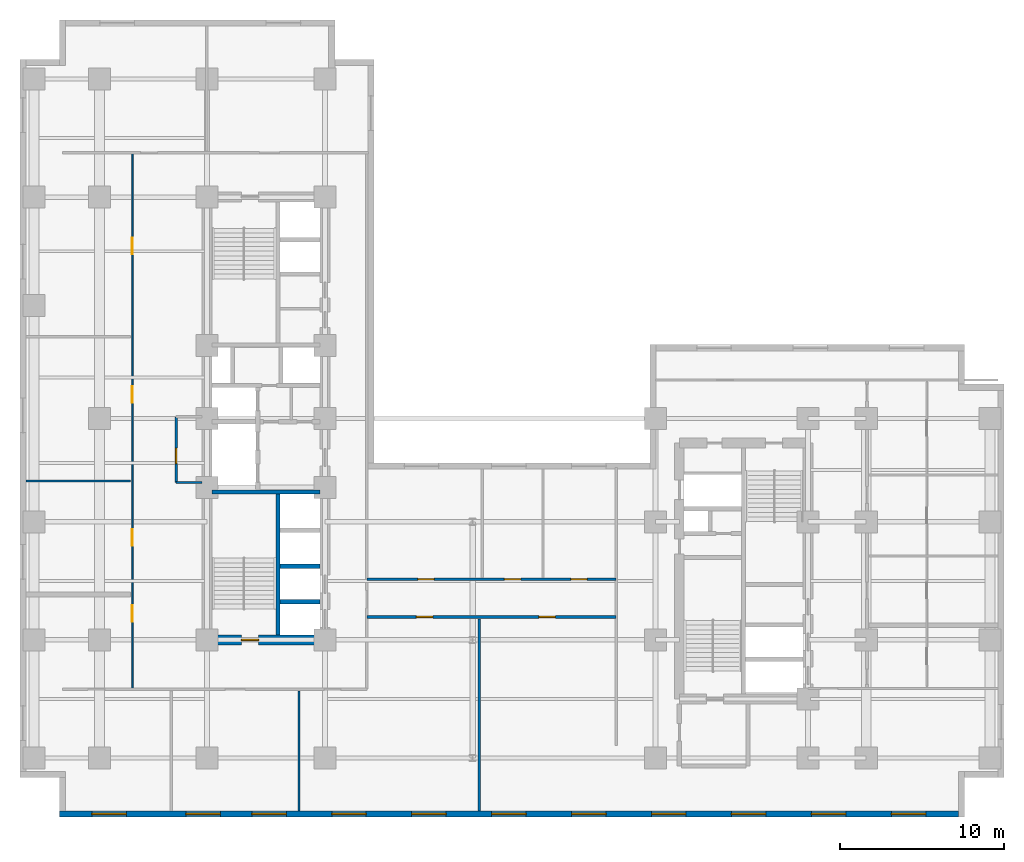
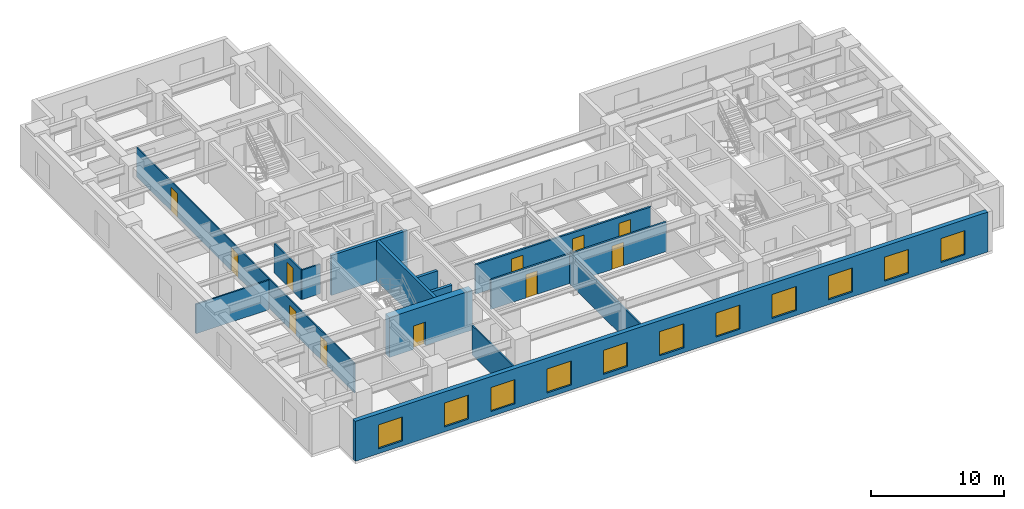
# One storey, part 3 of 10: 14 walls, 11 doors, 11 windows, 22 openings.
"""IFC4 building model written with IfcOpenShell, lengths in metres."""

from ifc_helpers import new_model, entity, si_unit, converted_unit, direction, frame, origin_with_axes, origin_2d_with_axis, place, context, subcontext, project, spatial, polyline, rectangle, outline, extrude, material, layer, layer_set, type_object, element, fill, save


model = new_model("IFC4")

# Units and contexts
model_context = context("Model", 3, precision=1e-05, world=origin_with_axes(), true_north=direction((0.0, 1.0)))
body_context = subcontext(model_context, "Body", "Model", "MODEL_VIEW")
ifc_project = project(units=[si_unit("LENGTHUNIT", "METRE"), si_unit("AREAUNIT", "SQUARE_METRE"), si_unit("VOLUMEUNIT", "CUBIC_METRE"), converted_unit("PLANEANGLEUNIT", "DEGREE", entity("IfcPlaneAngleMeasure", 0.017453292519943295), si_unit("PLANEANGLEUNIT", "RADIAN"), dimensions=[0, 0, 0, 0, 0, 0, 0]), si_unit("MASSUNIT", "GRAM", prefix="KILO"), si_unit("THERMODYNAMICTEMPERATUREUNIT", "KELVIN")], contexts=[model_context])

# Site, building, storey
site_placement = place(None, origin_with_axes())
site = spatial("IfcSite", under=ifc_project, at=site_placement, CompositionType="ELEMENT")
building_placement = place(site_placement, origin_with_axes())
building = spatial("IfcBuilding", under=site, at=building_placement, Name="Varnlund Millrace Tower", CompositionType="ELEMENT")
storey_placement = place(building_placement, frame((0.0, 0.0, 44.4), z_axis=(0.0, 0.0, 1.0), x_axis=(1.0, 0.0, 0.0)))
storey = spatial("IfcBuildingStorey", under=building, at=storey_placement, Name="L10", CompositionType="ELEMENT", Elevation=44.4)

# Wall, opening, door
ifc_material_1 = material(Name="Concrete C80/95", Category="concrete")
ifc_layer_1 = layer(ifc_material_1, 0.6, Name="Concrete C80/95")
ifc_layer_set_1 = layer_set([ifc_layer_1], Name="Concrete C80/95")
wall_type_1 = type_object("IfcWallType", Name="Type-CoreWall-Shear-600-C80", PredefinedType="SHEAR", material=ifc_layer_set_1)
wall_1_placement = place(storey_placement, frame((11.4, 10.8, 0.0), z_axis=(0.0, 0.0, 1.0), x_axis=(1.0, 0.0, 0.0)))
wall_1 = element("IfcWall", 1, at=wall_1_placement, inside=storey, type_object=wall_type_1, Name="Type-CoreWall-Shear-600-C80", PredefinedType="SHEAR", context=body_context, shape_type="SweptSolid", body=[
    extrude(outline(polyline([(0.0, -0.3), (7.2, -0.3), (7.2, 0.3), (0.0, 0.3), (0.0, -0.3)])), origin_with_axes(), (0.0, 0.0, 1.0), 3.66),
])
opening_1_placement = place(wall_1_placement, frame((2.625, 0.0, 0.0), z_axis=(0.0, 0.0, 1.0), x_axis=(1.0, 0.0, 0.0)))
opening_1 = element("IfcOpeningElement", 2, at=opening_1_placement, cuts=wall_1, Name="Opening L10:DR-STA1", PredefinedType="OPENING", context=body_context, shape_type="SweptSolid", body=[
    extrude(rectangle(XDim=1.05, YDim=0.62, at=origin_2d_with_axis()), origin_with_axes(), (0.0, 0.0, 1.0), 2.15),
])
ifc_material_2 = material(Name="Fire-rated hollow steel door", Category="steel")
door_type_1 = type_object("IfcDoorType", Name="Type-FireDoor-Stair-1050X2150", OperationType="NOTDEFINED", PredefinedType="DOOR", material=ifc_material_2)
door_1_placement = place(wall_1_placement, frame((2.625, 0.0, 0.0), z_axis=(0.0, 0.0, 1.0), x_axis=(1.0, 0.0, 0.0)))
door_1 = element("IfcDoor", 3, at=door_1_placement, inside=storey, type_object=door_type_1, Name="Type-FireDoor-Stair-1050X2150", OperationType="SINGLE_SWING_LEFT", OverallHeight=2.15, OverallWidth=1.05, PredefinedType="DOOR", context=body_context, shape_type="SweptSolid", body=[
    extrude(rectangle(XDim=1.05, YDim=0.09, at=origin_2d_with_axis()), origin_with_axes(), (0.0, 0.0, 1.0), 2.15),
])
fill(opening_1, door_1)

# Wall, openings, windows
ifc_material_3 = material(Name="Precast concrete C50/60", Category="concrete")
ifc_layer_2 = layer(ifc_material_3, 0.38, Name="Precast concrete C50/60")
ifc_layer_set_2 = layer_set([ifc_layer_2], Name="Precast concrete C50/60")
wall_type_2 = type_object("IfcWallType", Name="Type-ExtWall-Precast-Tube-380", PredefinedType="SOLIDWALL", material=ifc_layer_set_2)
wall_2_placement = place(storey_placement, frame((57.22, 0.19, 0.0), z_axis=(0.0, 0.0, 1.0), x_axis=(-1.0, 0.0, 0.0)))
wall_2 = element("IfcWall", 4, at=wall_2_placement, inside=storey, type_object=wall_type_2, Name="Type-ExtWall-Precast-Tube-380", PredefinedType="SOLIDWALL", context=body_context, shape_type="SweptSolid", body=[
    extrude(outline(polyline([(0.0, -0.19), (54.82, -0.19), (54.82, 0.19), (0.0, 0.19), (0.0, -0.19)])), origin_with_axes(), (0.0, 0.0, 1.0), 3.66),
])
opening_2_placement = place(wall_2_placement, frame((3.037, 0.0, 0.45), z_axis=(0.0, 0.0, 1.0), x_axis=(1.0, 0.0, 0.0)))
opening_2 = element("IfcOpeningElement", 5, at=opening_2_placement, cuts=wall_2, Name="Opening L10:WN-05", PredefinedType="OPENING", context=body_context, shape_type="SweptSolid", body=[
    extrude(rectangle(XDim=2.1, YDim=0.4, at=origin_2d_with_axis()), origin_with_axes(), (0.0, 0.0, 1.0), 2.2),
])
opening_3_placement = place(wall_2_placement, frame((7.912, 0.0, 0.45), z_axis=(0.0, 0.0, 1.0), x_axis=(1.0, 0.0, 0.0)))
opening_3 = element("IfcOpeningElement", 6, at=opening_3_placement, cuts=wall_2, Name="Opening L10:WN-06", PredefinedType="OPENING", context=body_context, shape_type="SweptSolid", body=[
    extrude(rectangle(XDim=2.1, YDim=0.4, at=origin_2d_with_axis()), origin_with_axes(), (0.0, 0.0, 1.0), 2.2),
])
opening_4_placement = place(wall_2_placement, frame((12.786, 0.0, 0.45), z_axis=(0.0, 0.0, 1.0), x_axis=(1.0, 0.0, 0.0)))
opening_4 = element("IfcOpeningElement", 7, at=opening_4_placement, cuts=wall_2, Name="Opening L10:WN-07", PredefinedType="OPENING", context=body_context, shape_type="SweptSolid", body=[
    extrude(rectangle(XDim=2.1, YDim=0.4, at=origin_2d_with_axis()), origin_with_axes(), (0.0, 0.0, 1.0), 2.2),
])
opening_5_placement = place(wall_2_placement, frame((17.661, 0.0, 0.45), z_axis=(0.0, 0.0, 1.0), x_axis=(1.0, 0.0, 0.0)))
opening_5 = element("IfcOpeningElement", 8, at=opening_5_placement, cuts=wall_2, Name="Opening L10:WN-08", PredefinedType="OPENING", context=body_context, shape_type="SweptSolid", body=[
    extrude(rectangle(XDim=2.1, YDim=0.4, at=origin_2d_with_axis()), origin_with_axes(), (0.0, 0.0, 1.0), 2.2),
])
opening_6_placement = place(wall_2_placement, frame((22.535, 0.0, 0.45), z_axis=(0.0, 0.0, 1.0), x_axis=(1.0, 0.0, 0.0)))
opening_6 = element("IfcOpeningElement", 9, at=opening_6_placement, cuts=wall_2, Name="Opening L10:WN-09", PredefinedType="OPENING", context=body_context, shape_type="SweptSolid", body=[
    extrude(rectangle(XDim=2.1, YDim=0.4, at=origin_2d_with_axis()), origin_with_axes(), (0.0, 0.0, 1.0), 2.2),
])
opening_7_placement = place(wall_2_placement, frame((27.41, 0.0, 0.45), z_axis=(0.0, 0.0, 1.0), x_axis=(1.0, 0.0, 0.0)))
opening_7 = element("IfcOpeningElement", 10, at=opening_7_placement, cuts=wall_2, Name="Opening L10:WN-10", PredefinedType="OPENING", context=body_context, shape_type="SweptSolid", body=[
    extrude(rectangle(XDim=2.1, YDim=0.4, at=origin_2d_with_axis()), origin_with_axes(), (0.0, 0.0, 1.0), 2.2),
])
opening_8_placement = place(wall_2_placement, frame((32.285, 0.0, 0.45), z_axis=(0.0, 0.0, 1.0), x_axis=(1.0, 0.0, 0.0)))
opening_8 = element("IfcOpeningElement", 11, at=opening_8_placement, cuts=wall_2, Name="Opening L10:WN-11", PredefinedType="OPENING", context=body_context, shape_type="SweptSolid", body=[
    extrude(rectangle(XDim=2.1, YDim=0.4, at=origin_2d_with_axis()), origin_with_axes(), (0.0, 0.0, 1.0), 2.2),
])
opening_9_placement = place(wall_2_placement, frame((37.159, 0.0, 0.45), z_axis=(0.0, 0.0, 1.0), x_axis=(1.0, 0.0, 0.0)))
opening_9 = element("IfcOpeningElement", 12, at=opening_9_placement, cuts=wall_2, Name="Opening L10:WN-12", PredefinedType="OPENING", context=body_context, shape_type="SweptSolid", body=[
    extrude(rectangle(XDim=2.1, YDim=0.4, at=origin_2d_with_axis()), origin_with_axes(), (0.0, 0.0, 1.0), 2.2),
])
opening_10_placement = place(wall_2_placement, frame((42.034, 0.0, 0.45), z_axis=(0.0, 0.0, 1.0), x_axis=(1.0, 0.0, 0.0)))
opening_10 = element("IfcOpeningElement", 13, at=opening_10_placement, cuts=wall_2, Name="Opening L10:WN-13", PredefinedType="OPENING", context=body_context, shape_type="SweptSolid", body=[
    extrude(rectangle(XDim=2.1, YDim=0.4, at=origin_2d_with_axis()), origin_with_axes(), (0.0, 0.0, 1.0), 2.2),
])
opening_11_placement = place(wall_2_placement, frame((46.058, 0.0, 0.45), z_axis=(0.0, 0.0, 1.0), x_axis=(1.0, 0.0, 0.0)))
opening_11 = element("IfcOpeningElement", 14, at=opening_11_placement, cuts=wall_2, Name="Opening L10:WN-14", PredefinedType="OPENING", context=body_context, shape_type="SweptSolid", body=[
    extrude(rectangle(XDim=2.1, YDim=0.4, at=origin_2d_with_axis()), origin_with_axes(), (0.0, 0.0, 1.0), 2.2),
])
opening_12_placement = place(wall_2_placement, frame((51.783, 0.0, 0.45), z_axis=(0.0, 0.0, 1.0), x_axis=(1.0, 0.0, 0.0)))
opening_12 = element("IfcOpeningElement", 15, at=opening_12_placement, cuts=wall_2, Name="Opening L10:WN-15", PredefinedType="OPENING", context=body_context, shape_type="SweptSolid", body=[
    extrude(rectangle(XDim=2.1, YDim=0.4, at=origin_2d_with_axis()), origin_with_axes(), (0.0, 0.0, 1.0), 2.2),
])
ifc_material_4 = material(Name="Argon low-e triple glazing in thermally broken bronze frame", Category="glass")
window_type = type_object("IfcWindowType", Name="Type-Window-Punched-2100X2200", PartitioningType="SINGLE_PANEL", PredefinedType="WINDOW", material=ifc_material_4)
window_1_placement = place(wall_2_placement, frame((3.037, 0.0, 0.45), z_axis=(0.0, 0.0, 1.0), x_axis=(1.0, 0.0, 0.0)))
window_1 = element("IfcWindow", 16, at=window_1_placement, inside=storey, type_object=window_type, Name="Type-Window-Punched-2100X2200", OverallHeight=2.2, OverallWidth=2.1, PredefinedType="WINDOW", context=body_context, shape_type="SweptSolid", body=[
    extrude(rectangle(XDim=2.1, YDim=0.09, at=origin_2d_with_axis()), origin_with_axes(), (0.0, 0.0, 1.0), 2.2),
])
fill(opening_2, window_1)
window_2_placement = place(wall_2_placement, frame((7.912, 0.0, 0.45), z_axis=(0.0, 0.0, 1.0), x_axis=(1.0, 0.0, 0.0)))
window_2 = element("IfcWindow", 17, at=window_2_placement, inside=storey, type_object=window_type, Name="Type-Window-Punched-2100X2200", OverallHeight=2.2, OverallWidth=2.1, PredefinedType="WINDOW", context=body_context, shape_type="SweptSolid", body=[
    extrude(rectangle(XDim=2.1, YDim=0.09, at=origin_2d_with_axis()), origin_with_axes(), (0.0, 0.0, 1.0), 2.2),
])
fill(opening_3, window_2)
window_3_placement = place(wall_2_placement, frame((12.786, 0.0, 0.45), z_axis=(0.0, 0.0, 1.0), x_axis=(1.0, 0.0, 0.0)))
window_3 = element("IfcWindow", 18, at=window_3_placement, inside=storey, type_object=window_type, Name="Type-Window-Punched-2100X2200", OverallHeight=2.2, OverallWidth=2.1, PredefinedType="WINDOW", context=body_context, shape_type="SweptSolid", body=[
    extrude(rectangle(XDim=2.1, YDim=0.09, at=origin_2d_with_axis()), origin_with_axes(), (0.0, 0.0, 1.0), 2.2),
])
fill(opening_4, window_3)
window_4_placement = place(wall_2_placement, frame((17.661, 0.0, 0.45), z_axis=(0.0, 0.0, 1.0), x_axis=(1.0, 0.0, 0.0)))
window_4 = element("IfcWindow", 19, at=window_4_placement, inside=storey, type_object=window_type, Name="Type-Window-Punched-2100X2200", OverallHeight=2.2, OverallWidth=2.1, PredefinedType="WINDOW", context=body_context, shape_type="SweptSolid", body=[
    extrude(rectangle(XDim=2.1, YDim=0.09, at=origin_2d_with_axis()), origin_with_axes(), (0.0, 0.0, 1.0), 2.2),
])
fill(opening_5, window_4)
window_5_placement = place(wall_2_placement, frame((22.535, 0.0, 0.45), z_axis=(0.0, 0.0, 1.0), x_axis=(1.0, 0.0, 0.0)))
window_5 = element("IfcWindow", 20, at=window_5_placement, inside=storey, type_object=window_type, Name="Type-Window-Punched-2100X2200", OverallHeight=2.2, OverallWidth=2.1, PredefinedType="WINDOW", context=body_context, shape_type="SweptSolid", body=[
    extrude(rectangle(XDim=2.1, YDim=0.09, at=origin_2d_with_axis()), origin_with_axes(), (0.0, 0.0, 1.0), 2.2),
])
fill(opening_6, window_5)
window_6_placement = place(wall_2_placement, frame((27.41, 0.0, 0.45), z_axis=(0.0, 0.0, 1.0), x_axis=(1.0, 0.0, 0.0)))
window_6 = element("IfcWindow", 21, at=window_6_placement, inside=storey, type_object=window_type, Name="Type-Window-Punched-2100X2200", OverallHeight=2.2, OverallWidth=2.1, PredefinedType="WINDOW", context=body_context, shape_type="SweptSolid", body=[
    extrude(rectangle(XDim=2.1, YDim=0.09, at=origin_2d_with_axis()), origin_with_axes(), (0.0, 0.0, 1.0), 2.2),
])
fill(opening_7, window_6)
window_7_placement = place(wall_2_placement, frame((32.285, 0.0, 0.45), z_axis=(0.0, 0.0, 1.0), x_axis=(1.0, 0.0, 0.0)))
window_7 = element("IfcWindow", 22, at=window_7_placement, inside=storey, type_object=window_type, Name="Type-Window-Punched-2100X2200", OverallHeight=2.2, OverallWidth=2.1, PredefinedType="WINDOW", context=body_context, shape_type="SweptSolid", body=[
    extrude(rectangle(XDim=2.1, YDim=0.09, at=origin_2d_with_axis()), origin_with_axes(), (0.0, 0.0, 1.0), 2.2),
])
fill(opening_8, window_7)
window_8_placement = place(wall_2_placement, frame((37.159, 0.0, 0.45), z_axis=(0.0, 0.0, 1.0), x_axis=(1.0, 0.0, 0.0)))
window_8 = element("IfcWindow", 23, at=window_8_placement, inside=storey, type_object=window_type, Name="Type-Window-Punched-2100X2200", OverallHeight=2.2, OverallWidth=2.1, PredefinedType="WINDOW", context=body_context, shape_type="SweptSolid", body=[
    extrude(rectangle(XDim=2.1, YDim=0.09, at=origin_2d_with_axis()), origin_with_axes(), (0.0, 0.0, 1.0), 2.2),
])
fill(opening_9, window_8)
window_9_placement = place(wall_2_placement, frame((42.034, 0.0, 0.45), z_axis=(0.0, 0.0, 1.0), x_axis=(1.0, 0.0, 0.0)))
window_9 = element("IfcWindow", 24, at=window_9_placement, inside=storey, type_object=window_type, Name="Type-Window-Punched-2100X2200", OverallHeight=2.2, OverallWidth=2.1, PredefinedType="WINDOW", context=body_context, shape_type="SweptSolid", body=[
    extrude(rectangle(XDim=2.1, YDim=0.09, at=origin_2d_with_axis()), origin_with_axes(), (0.0, 0.0, 1.0), 2.2),
])
fill(opening_10, window_9)
window_10_placement = place(wall_2_placement, frame((46.058, 0.0, 0.45), z_axis=(0.0, 0.0, 1.0), x_axis=(1.0, 0.0, 0.0)))
window_10 = element("IfcWindow", 25, at=window_10_placement, inside=storey, type_object=window_type, Name="Type-Window-Punched-2100X2200", OverallHeight=2.2, OverallWidth=2.1, PredefinedType="WINDOW", context=body_context, shape_type="SweptSolid", body=[
    extrude(rectangle(XDim=2.1, YDim=0.09, at=origin_2d_with_axis()), origin_with_axes(), (0.0, 0.0, 1.0), 2.2),
])
fill(opening_11, window_10)
window_11_placement = place(wall_2_placement, frame((51.783, 0.0, 0.45), z_axis=(0.0, 0.0, 1.0), x_axis=(1.0, 0.0, 0.0)))
window_11 = element("IfcWindow", 26, at=window_11_placement, inside=storey, type_object=window_type, Name="Type-Window-Punched-2100X2200", OverallHeight=2.2, OverallWidth=2.1, PredefinedType="WINDOW", context=body_context, shape_type="SweptSolid", body=[
    extrude(rectangle(XDim=2.1, YDim=0.09, at=origin_2d_with_axis()), origin_with_axes(), (0.0, 0.0, 1.0), 2.2),
])
fill(opening_12, window_11)

# Wall, openings, doors
ifc_material_5 = material(Name="Fire-rated gypsum board on cold-formed steel framing", Category="steel")
ifc_layer_3 = layer(ifc_material_5, 0.16, Name="Fire-rated gypsum board on cold-formed steel framing")
ifc_layer_set_3 = layer_set([ifc_layer_3], Name="Fire-rated gypsum board on cold-formed steel framing")
wall_type_3 = type_object("IfcWallType", Name="Type-Partition-Corridor-160", PredefinedType="PARTITIONING", material=ifc_layer_set_3)
wall_3_placement = place(storey_placement, frame((21.15, 12.2, 0.0), z_axis=(0.0, 0.0, 1.0), x_axis=(1.0, 0.0, 0.0)))
wall_3 = element("IfcWall", 27, at=wall_3_placement, inside=storey, type_object=wall_type_3, Name="Type-Partition-Corridor-160", PredefinedType="PARTITIONING", context=body_context, shape_type="SweptSolid", body=[
    extrude(outline(polyline([(0.0, -0.08), (15.2, -0.08), (15.2, 0.08), (0.0, 0.08), (0.0, -0.08)])), origin_with_axes(), (0.0, 0.0, 1.0), 2.7),
])
opening_13_placement = place(wall_3_placement, frame((3.5225, 0.0, 0.0), z_axis=(0.0, 0.0, 1.0), x_axis=(1.0, 0.0, 0.0)))
opening_13 = element("IfcOpeningElement", 28, at=opening_13_placement, cuts=wall_3, Name="Opening L10:DR-KNS-01", PredefinedType="OPENING", context=body_context, shape_type="SweptSolid", body=[
    extrude(rectangle(XDim=1.0, YDim=0.18, at=origin_2d_with_axis()), origin_with_axes(), (0.0, 0.0, 1.0), 2.15),
])
opening_14_placement = place(wall_3_placement, frame((10.9925, 0.0, 0.0), z_axis=(0.0, 0.0, 1.0), x_axis=(1.0, 0.0, 0.0)))
opening_14 = element("IfcOpeningElement", 29, at=opening_14_placement, cuts=wall_3, Name="Opening L10:DR-KNS-02", PredefinedType="OPENING", context=body_context, shape_type="SweptSolid", body=[
    extrude(rectangle(XDim=1.0, YDim=0.18, at=origin_2d_with_axis()), origin_with_axes(), (0.0, 0.0, 1.0), 2.15),
])
ifc_material_6 = material(Name="Solid-core white oak and bronze frame door")
door_type_2 = type_object("IfcDoorType", Name="Type-IntDoor-Office-1000X2150", OperationType="NOTDEFINED", PredefinedType="DOOR", material=ifc_material_6)
door_2_placement = place(wall_3_placement, frame((3.5225, 0.0, 0.0), z_axis=(0.0, 0.0, 1.0), x_axis=(1.0, 0.0, 0.0)))
door_2 = element("IfcDoor", 30, at=door_2_placement, inside=storey, type_object=door_type_2, Name="Type-IntDoor-Office-1000X2150", OperationType="SINGLE_SWING_LEFT", OverallHeight=2.15, OverallWidth=1.0, PredefinedType="DOOR", context=body_context, shape_type="SweptSolid", body=[
    extrude(rectangle(XDim=1.0, YDim=0.09, at=origin_2d_with_axis()), origin_with_axes(), (0.0, 0.0, 1.0), 2.15),
])
fill(opening_13, door_2)
door_3_placement = place(wall_3_placement, frame((10.9925, 0.0, 0.0), z_axis=(0.0, 0.0, 1.0), x_axis=(1.0, 0.0, 0.0)))
door_3 = element("IfcDoor", 31, at=door_3_placement, inside=storey, type_object=door_type_2, Name="Type-IntDoor-Office-1000X2150", OperationType="SINGLE_SWING_RIGHT", OverallHeight=2.15, OverallWidth=1.0, PredefinedType="DOOR", context=body_context, shape_type="SweptSolid", body=[
    extrude(rectangle(XDim=1.0, YDim=0.09, at=origin_2d_with_axis()), origin_with_axes(), (0.0, 0.0, 1.0), 2.15),
])
fill(opening_14, door_3)

wall_4_placement = place(storey_placement, frame((21.15, 14.5, 0.0), z_axis=(0.0, 0.0, 1.0), x_axis=(1.0, 0.0, 0.0)))
wall_4 = element("IfcWall", 32, at=wall_4_placement, inside=storey, type_object=wall_type_3, Name="Type-Partition-Corridor-160", PredefinedType="PARTITIONING", context=body_context, shape_type="SweptSolid", body=[
    extrude(outline(polyline([(0.0, -0.08), (15.2, -0.08), (15.2, 0.08), (0.0, 0.08), (0.0, -0.08)])), origin_with_axes(), (0.0, 0.0, 1.0), 2.7),
])
opening_15_placement = place(wall_4_placement, frame((3.607, 0.0, 0.0), z_axis=(0.0, 0.0, 1.0), x_axis=(1.0, 0.0, 0.0)))
opening_15 = element("IfcOpeningElement", 33, at=opening_15_placement, cuts=wall_4, Name="Opening L10:DR-KN-01", PredefinedType="OPENING", context=body_context, shape_type="SweptSolid", body=[
    extrude(rectangle(XDim=1.0, YDim=0.18, at=origin_2d_with_axis()), origin_with_axes(), (0.0, 0.0, 1.0), 2.15),
])
opening_16_placement = place(wall_4_placement, frame((8.89, 0.0, 0.0), z_axis=(0.0, 0.0, 1.0), x_axis=(1.0, 0.0, 0.0)))
opening_16 = element("IfcOpeningElement", 34, at=opening_16_placement, cuts=wall_4, Name="Opening L10:DR-KN-02", PredefinedType="OPENING", context=body_context, shape_type="SweptSolid", body=[
    extrude(rectangle(XDim=1.0, YDim=0.18, at=origin_2d_with_axis()), origin_with_axes(), (0.0, 0.0, 1.0), 2.15),
])
opening_17_placement = place(wall_4_placement, frame((12.933, 0.0, 0.0), z_axis=(0.0, 0.0, 1.0), x_axis=(1.0, 0.0, 0.0)))
opening_17 = element("IfcOpeningElement", 35, at=opening_17_placement, cuts=wall_4, Name="Opening L10:DR-KN-03", PredefinedType="OPENING", context=body_context, shape_type="SweptSolid", body=[
    extrude(rectangle(XDim=1.0, YDim=0.18, at=origin_2d_with_axis()), origin_with_axes(), (0.0, 0.0, 1.0), 2.15),
])
door_4_placement = place(wall_4_placement, frame((3.607, 0.0, 0.0), z_axis=(0.0, 0.0, 1.0), x_axis=(1.0, 0.0, 0.0)))
door_4 = element("IfcDoor", 36, at=door_4_placement, inside=storey, type_object=door_type_2, Name="Type-IntDoor-Office-1000X2150", OperationType="SINGLE_SWING_LEFT", OverallHeight=2.15, OverallWidth=1.0, PredefinedType="DOOR", context=body_context, shape_type="SweptSolid", body=[
    extrude(rectangle(XDim=1.0, YDim=0.09, at=origin_2d_with_axis()), origin_with_axes(), (0.0, 0.0, 1.0), 2.15),
])
fill(opening_15, door_4)
door_5_placement = place(wall_4_placement, frame((8.89, 0.0, 0.0), z_axis=(0.0, 0.0, 1.0), x_axis=(1.0, 0.0, 0.0)))
door_5 = element("IfcDoor", 37, at=door_5_placement, inside=storey, type_object=door_type_2, Name="Type-IntDoor-Office-1000X2150", OperationType="SINGLE_SWING_RIGHT", OverallHeight=2.15, OverallWidth=1.0, PredefinedType="DOOR", context=body_context, shape_type="SweptSolid", body=[
    extrude(rectangle(XDim=1.0, YDim=0.09, at=origin_2d_with_axis()), origin_with_axes(), (0.0, 0.0, 1.0), 2.15),
])
fill(opening_16, door_5)
door_6_placement = place(wall_4_placement, frame((12.933, 0.0, 0.0), z_axis=(0.0, 0.0, 1.0), x_axis=(1.0, 0.0, 0.0)))
door_6 = element("IfcDoor", 38, at=door_6_placement, inside=storey, type_object=door_type_2, Name="Type-IntDoor-Office-1000X2150", OperationType="SINGLE_SWING_LEFT", OverallHeight=2.15, OverallWidth=1.0, PredefinedType="DOOR", context=body_context, shape_type="SweptSolid", body=[
    extrude(rectangle(XDim=1.0, YDim=0.09, at=origin_2d_with_axis()), origin_with_axes(), (0.0, 0.0, 1.0), 2.15),
])
fill(opening_17, door_6)

# Wall
ifc_material_7 = material(Name="Acoustic STC-50 gypsum board partition", Category="gypsum")
ifc_layer_4 = layer(ifc_material_7, 0.15, Name="Acoustic STC-50 gypsum board partition")
ifc_layer_set_4 = layer_set([ifc_layer_4], Name="Acoustic STC-50 gypsum board partition")
wall_type_4 = type_object("IfcWallType", Name="Type-Partition-Demising-150", PredefinedType="PARTITIONING", material=ifc_layer_set_4)
wall_5_placement = place(storey_placement, frame((28.015, 0.36, 0.0), z_axis=(0.0, 0.0, 1.0), x_axis=(0.0, 1.0, 0.0)))
element("IfcWall", 39, at=wall_5_placement, inside=storey, type_object=wall_type_4, Name="Type-Partition-Demising-150", PredefinedType="PARTITIONING", context=body_context, shape_type="SweptSolid", body=[
    extrude(outline(polyline([(0.0, -0.075), (11.72, -0.075), (11.72, 0.075), (0.0, 0.075), (0.0, -0.075)])), origin_with_axes(), (0.0, 0.0, 1.0), 2.7),
])

# Wall, openings, doors
ifc_material_8 = material(Name="Architectural bronze and acoustic glass office front", Category="glass")
ifc_layer_5 = layer(ifc_material_8, 0.1, Name="Architectural bronze and acoustic glass office front")
ifc_layer_set_5 = layer_set([ifc_layer_5], Name="Architectural bronze and acoustic glass office front")
wall_type_5 = type_object("IfcWallType", Name="Type-Partition-Glazed-100", PredefinedType="PARTITIONING", material=ifc_layer_set_5)
wall_6_placement = place(storey_placement, frame((6.85, 7.8, 0.0), z_axis=(0.0, 0.0, 1.0), x_axis=(0.0, 1.0, 0.0)))
wall_6 = element("IfcWall", 40, at=wall_6_placement, inside=storey, type_object=wall_type_5, Name="Type-Partition-Glazed-100", PredefinedType="PARTITIONING", context=body_context, shape_type="SweptSolid", body=[
    extrude(outline(polyline([(0.0, -0.05), (32.7, -0.05), (32.7, 0.05), (0.0, 0.05), (0.0, -0.05)])), origin_with_axes(), (0.0, 0.0, 1.0), 2.7),
])
opening_18_placement = place(wall_6_placement, frame((4.6, 0.0, 0.0), z_axis=(0.0, 0.0, 1.0), x_axis=(1.0, 0.0, 0.0)))
opening_18 = element("IfcOpeningElement", 41, at=opening_18_placement, cuts=wall_6, Name="Opening L10:DR-W-01", PredefinedType="OPENING", context=body_context, shape_type="SweptSolid", body=[
    extrude(rectangle(XDim=1.0, YDim=0.12, at=origin_2d_with_axis()), origin_with_axes(), (0.0, 0.0, 1.0), 2.15),
])
opening_19_placement = place(wall_6_placement, frame((9.235, 0.0, 0.0), z_axis=(0.0, 0.0, 1.0), x_axis=(1.0, 0.0, 0.0)))
opening_19 = element("IfcOpeningElement", 42, at=opening_19_placement, cuts=wall_6, Name="Opening L10:DR-W-02", PredefinedType="OPENING", context=body_context, shape_type="SweptSolid", body=[
    extrude(rectangle(XDim=1.0, YDim=0.12, at=origin_2d_with_axis()), origin_with_axes(), (0.0, 0.0, 1.0), 2.15),
])
opening_20_placement = place(wall_6_placement, frame((17.974, 0.0, 0.0), z_axis=(0.0, 0.0, 1.0), x_axis=(1.0, 0.0, 0.0)))
opening_20 = element("IfcOpeningElement", 43, at=opening_20_placement, cuts=wall_6, Name="Opening L10:DR-W-03", PredefinedType="OPENING", context=body_context, shape_type="SweptSolid", body=[
    extrude(rectangle(XDim=1.0, YDim=0.12, at=origin_2d_with_axis()), origin_with_axes(), (0.0, 0.0, 1.0), 2.15),
])
opening_21_placement = place(wall_6_placement, frame((27.0285, 0.0, 0.0), z_axis=(0.0, 0.0, 1.0), x_axis=(1.0, 0.0, 0.0)))
opening_21 = element("IfcOpeningElement", 44, at=opening_21_placement, cuts=wall_6, Name="Opening L10:DR-W-04", PredefinedType="OPENING", context=body_context, shape_type="SweptSolid", body=[
    extrude(rectangle(XDim=1.0, YDim=0.12, at=origin_2d_with_axis()), origin_with_axes(), (0.0, 0.0, 1.0), 2.15),
])
door_7_placement = place(wall_6_placement, frame((4.6, 0.0, 0.0), z_axis=(0.0, 0.0, 1.0), x_axis=(1.0, 0.0, 0.0)))
door_7 = element("IfcDoor", 45, at=door_7_placement, inside=storey, type_object=door_type_2, Name="Type-IntDoor-Office-1000X2150", OperationType="SINGLE_SWING_LEFT", OverallHeight=2.15, OverallWidth=1.0, PredefinedType="DOOR", context=body_context, shape_type="SweptSolid", body=[
    extrude(rectangle(XDim=1.0, YDim=0.06, at=origin_2d_with_axis()), origin_with_axes(), (0.0, 0.0, 1.0), 2.15),
])
fill(opening_18, door_7)
door_8_placement = place(wall_6_placement, frame((9.235, 0.0, 0.0), z_axis=(0.0, 0.0, 1.0), x_axis=(1.0, 0.0, 0.0)))
door_8 = element("IfcDoor", 46, at=door_8_placement, inside=storey, type_object=door_type_2, Name="Type-IntDoor-Office-1000X2150", OperationType="SINGLE_SWING_RIGHT", OverallHeight=2.15, OverallWidth=1.0, PredefinedType="DOOR", context=body_context, shape_type="SweptSolid", body=[
    extrude(rectangle(XDim=1.0, YDim=0.06, at=origin_2d_with_axis()), origin_with_axes(), (0.0, 0.0, 1.0), 2.15),
])
fill(opening_19, door_8)
door_9_placement = place(wall_6_placement, frame((17.974, 0.0, 0.0), z_axis=(0.0, 0.0, 1.0), x_axis=(1.0, 0.0, 0.0)))
door_9 = element("IfcDoor", 47, at=door_9_placement, inside=storey, type_object=door_type_2, Name="Type-IntDoor-Office-1000X2150", OperationType="SINGLE_SWING_LEFT", OverallHeight=2.15, OverallWidth=1.0, PredefinedType="DOOR", context=body_context, shape_type="SweptSolid", body=[
    extrude(rectangle(XDim=1.0, YDim=0.06, at=origin_2d_with_axis()), origin_with_axes(), (0.0, 0.0, 1.0), 2.15),
])
fill(opening_20, door_9)
door_10_placement = place(wall_6_placement, frame((27.0285, 0.0, 0.0), z_axis=(0.0, 0.0, 1.0), x_axis=(1.0, 0.0, 0.0)))
door_10 = element("IfcDoor", 48, at=door_10_placement, inside=storey, type_object=door_type_2, Name="Type-IntDoor-Office-1000X2150", OperationType="SINGLE_SWING_RIGHT", OverallHeight=2.15, OverallWidth=1.0, PredefinedType="DOOR", context=body_context, shape_type="SweptSolid", body=[
    extrude(rectangle(XDim=1.0, YDim=0.06, at=origin_2d_with_axis()), origin_with_axes(), (0.0, 0.0, 1.0), 2.15),
])
fill(opening_21, door_10)

# Walls
ifc_material_9 = material(Name="Gypsum board tenant partition", Category="gypsum")
ifc_layer_6 = layer(ifc_material_9, 0.125, Name="Gypsum board tenant partition")
ifc_layer_set_6 = layer_set([ifc_layer_6], Name="Gypsum board tenant partition")
wall_type_6 = type_object("IfcWallType", Name="Type-Partition-Tenant-125", PredefinedType="PARTITIONING", material=ifc_layer_set_6)
wall_7_placement = place(storey_placement, frame((0.375, 20.501, 0.0), z_axis=(0.0, 0.0, 1.0), x_axis=(1.0, 0.0, 0.0)))
element("IfcWall", 49, at=wall_7_placement, inside=storey, type_object=wall_type_6, Name="Type-Partition-Tenant-125", PredefinedType="PARTITIONING", context=body_context, shape_type="SweptSolid", body=[
    extrude(outline(polyline([(0.0, -0.0625), (6.355, -0.0625), (6.355, 0.0625), (0.0, 0.0625), (0.0, -0.0625)])), origin_with_axes(), (0.0, 0.0, 1.0), 2.7),
])
wall_8_placement = place(storey_placement, frame((17.005, 0.36, 0.0), z_axis=(0.0, 0.0, 1.0), x_axis=(0.0, 1.0, 0.0)))
element("IfcWall", 50, at=wall_8_placement, inside=storey, type_object=wall_type_6, Name="Type-Partition-Tenant-125", PredefinedType="PARTITIONING", context=body_context, shape_type="SweptSolid", body=[
    extrude(outline(polyline([(0.0, -0.0625), (7.34, -0.0625), (7.34, 0.0625), (0.0, 0.0625), (0.0, -0.0625)])), origin_with_axes(), (0.0, 0.0, 1.0), 2.7),
])

# Wall, opening, door
ifc_material_10 = material(Name="Moisture-resistant gypsum restroom partition", Category="gypsum")
ifc_layer_7 = layer(ifc_material_10, 0.14, Name="Moisture-resistant gypsum restroom partition")
ifc_layer_set_7 = layer_set([ifc_layer_7], Name="Moisture-resistant gypsum restroom partition")
wall_type_7 = type_object("IfcWallType", Name="Type-Partition-Wet-140", PredefinedType="PARTITIONING", material=ifc_layer_set_7)
wall_9_placement = place(storey_placement, frame((9.52, 20.4, 0.0), z_axis=(0.0, 0.0, 1.0), x_axis=(0.0, 1.0, 0.0)))
wall_9 = element("IfcWall", 51, at=wall_9_placement, inside=storey, type_object=wall_type_7, Name="Type-Partition-Wet-140", PredefinedType="PARTITIONING", context=body_context, shape_type="SweptSolid", body=[
    extrude(outline(polyline([(0.0, -0.07), (4.0, -0.07), (4.0, 0.07), (0.0, 0.07), (0.0, -0.07)])), origin_with_axes(), (0.0, 0.0, 1.0), 2.7),
])
opening_22_placement = place(wall_9_placement, frame((1.625, 0.0, 0.0), z_axis=(0.0, 0.0, 1.0), x_axis=(1.0, 0.0, 0.0)))
opening_22 = element("IfcOpeningElement", 52, at=opening_22_placement, cuts=wall_9, Name="Opening L10:DR-CA-WCW", PredefinedType="OPENING", context=body_context, shape_type="SweptSolid", body=[
    extrude(rectangle(XDim=0.95, YDim=0.16, at=origin_2d_with_axis()), origin_with_axes(), (0.0, 0.0, 1.0), 2.15),
])
ifc_material_11 = material(Name="Solid-core acoustic office door")
door_type_3 = type_object("IfcDoorType", Name="Type-IntDoor-Tenant-950X2150", OperationType="NOTDEFINED", PredefinedType="DOOR", material=ifc_material_11)
door_11_placement = place(wall_9_placement, frame((1.625, 0.0, 0.0), z_axis=(0.0, 0.0, 1.0), x_axis=(1.0, 0.0, 0.0)))
door_11 = element("IfcDoor", 53, at=door_11_placement, inside=storey, type_object=door_type_3, Name="Type-IntDoor-Tenant-950X2150", OperationType="SINGLE_SWING_LEFT", OverallHeight=2.15, OverallWidth=0.95, PredefinedType="DOOR", context=body_context, shape_type="SweptSolid", body=[
    extrude(rectangle(XDim=0.95, YDim=0.084, at=origin_2d_with_axis()), origin_with_axes(), (0.0, 0.0, 1.0), 2.15),
])
fill(opening_22, door_11)

# Walls
wall_10_placement = place(storey_placement, frame((9.52, 20.4, 0.0), z_axis=(0.0, 0.0, 1.0), x_axis=(1.0, 0.0, 0.0)))
element("IfcWall", 54, at=wall_10_placement, inside=storey, type_object=wall_type_7, Name="Type-Partition-Wet-140", PredefinedType="PARTITIONING", context=body_context, shape_type="SweptSolid", body=[
    extrude(outline(polyline([(0.0, -0.07), (1.58, -0.07), (1.58, 0.07), (0.0, 0.07), (0.0, -0.07)])), origin_with_axes(), (0.0, 0.0, 1.0), 2.7),
])
ifc_material_12 = material(Name="Concrete C60/75", Category="concrete")
ifc_layer_8 = layer(ifc_material_12, 0.25, Name="Concrete C60/75")
ifc_layer_set_8 = layer_set([ifc_layer_8], Name="Concrete C60/75")
wall_type_8 = type_object("IfcWallType", Name="Type-ShaftWall-Fire-250", PredefinedType="SOLIDWALL", material=ifc_layer_set_8)
for number, where, z_axis, x_axis, name in (
    (55, (15.84, 13.13, 0.0), (0.0, 0.0, 1.0), (1.0, 0.0, 0.0), "Type-ShaftWall-Fire-250"),
    (56, (15.84, 15.29, 0.0), (0.0, 0.0, 1.0), (1.0, 0.0, 0.0), "Type-ShaftWall-Fire-250"),
):
    element("IfcWall", number, at=place(storey_placement, frame(where, z_axis=z_axis, x_axis=x_axis)), inside=storey, type_object=wall_type_8, Name=name, PredefinedType="SOLIDWALL", context=body_context, shape_type="SweptSolid", body=[
        extrude(outline(polyline([(0.0, -0.125), (2.46, -0.125), (2.46, 0.125), (0.0, 0.125), (0.0, -0.125)])), origin_with_axes(), (0.0, 0.0, 1.0), 2.7),
    ])
wall_type_9 = type_object("IfcWallType", Name="Type-StairWall-Shear-250", PredefinedType="SHEAR", material=ifc_layer_set_8)
wall_11_placement = place(storey_placement, frame((15.725, 11.1, 0.0), z_axis=(0.0, 0.0, 1.0), x_axis=(0.0, 1.0, 0.0)))
element("IfcWall", 57, at=wall_11_placement, inside=storey, type_object=wall_type_9, Name="Type-StairWall-Shear-250", PredefinedType="SHEAR", context=body_context, shape_type="SweptSolid", body=[
    extrude(outline(polyline([(0.0, -0.125), (8.6, -0.125), (8.6, 0.125), (0.0, 0.125), (0.0, -0.125)])), origin_with_axes(), (0.0, 0.0, 1.0), 3.66),
])
wall_12_placement = place(storey_placement, frame((11.7, 19.825, 0.0), z_axis=(0.0, 0.0, 1.0), x_axis=(1.0, 0.0, 0.0)))
element("IfcWall", 58, at=wall_12_placement, inside=storey, type_object=wall_type_9, Name="Type-StairWall-Shear-250", PredefinedType="SHEAR", context=body_context, shape_type="SweptSolid", body=[
    extrude(outline(polyline([(0.0, -0.125), (6.6, -0.125), (6.6, 0.125), (0.0, 0.125), (0.0, -0.125)])), origin_with_axes(), (0.0, 0.0, 1.0), 3.66),
])

save(model, "model.ifc")
